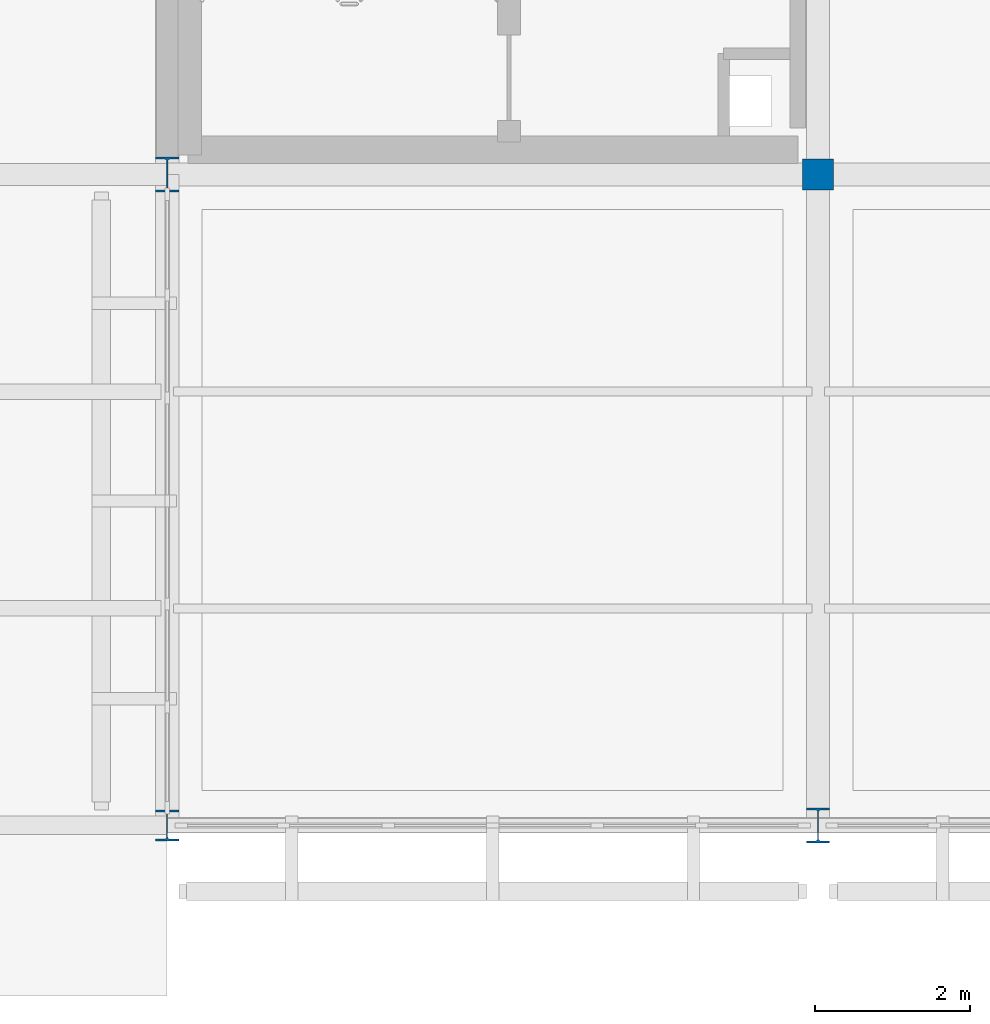
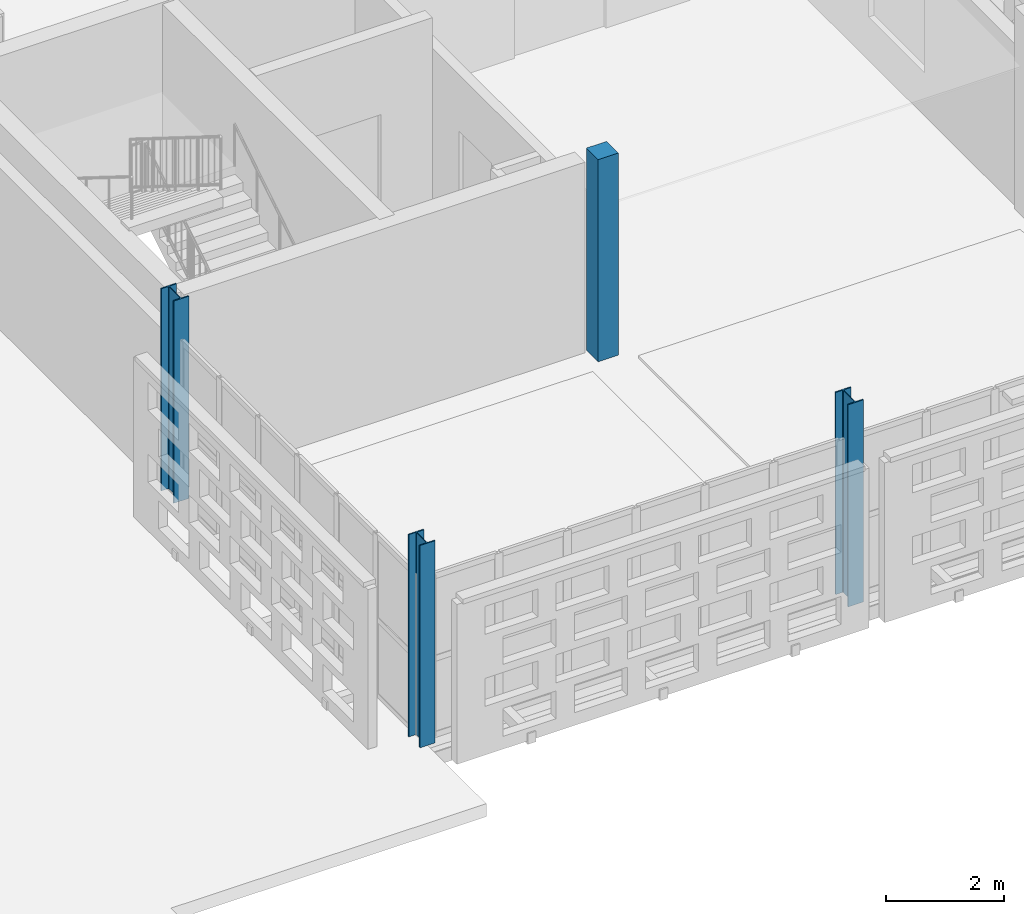
# One storey, part 4 of 166: 4 columns.
"""IFC4 building model written with IfcOpenShell, lengths in metres."""

from ifc_helpers import new_model, si_unit, direction, frame, origin, origin_2d, place, context, subcontext, project, spatial, rectangle, i_section, extrude, material, material_profile, profile_set, type_object, element, save


model = new_model("IFC4")

# Units and contexts
model_context = context("Model", 3, precision=1e-05, world=origin(), true_north=direction((0.0, 1.0)))
body_context = subcontext(model_context, "Body", "Model", "MODEL_VIEW")
ifc_project = project(units=[si_unit("LENGTHUNIT", "METRE"), si_unit("AREAUNIT", "SQUARE_METRE"), si_unit("VOLUMEUNIT", "CUBIC_METRE"), si_unit("PLANEANGLEUNIT", "RADIAN"), si_unit("MASSUNIT", "GRAM", prefix="KILO")], contexts=[model_context])

# Site, building, storey
site_placement = place(None, origin())
site = spatial("IfcSite", under=ifc_project, at=site_placement, CompositionType="ELEMENT")
building_placement = place(site_placement, origin())
building = spatial("IfcBuilding", under=site, at=building_placement, Name="Varnapada Polytechnic", CompositionType="ELEMENT")
storey_placement = place(building_placement, frame((0.0, 0.0, 9.60009765625)))
storey = spatial("IfcBuildingStorey", under=building, at=storey_placement, Name="L02", CompositionType="ELEMENT", Elevation=9.60009765625)

# Columns
ifc_material_1 = material(Name="Steel S355", Category="steel")
ifc_material_profile_1 = material_profile(ifc_material_1, i_section(OverallWidth=0.300048828125, OverallDepth=0.449951171875, WebThickness=0.013916015625, FlangeThickness=0.02587890625, FilletRadius=0.027099609375, at=origin_2d()), Name="HEB 450")
ifc_profile_set_1 = profile_set([ifc_material_profile_1], Name="Steel S355")
column_type_1 = type_object("IfcColumnType", Name="Column C-07 (HEB 450)", PredefinedType="COLUMN", material=ifc_profile_set_1)
for number, where, z_axis, x_axis, name in (
    (1, (50.39990234375, 92.39990234375, 0.0), (0.0, 0.0, 1.0), (1.0, 0.0, 0.0), "L02 column 7/12"),
    (2, (58.800048828125, 84.0, 0.0), (0.0, 0.0, 1.0), (1.0, 0.0, 0.0), "L02 column 8/11"),
):
    element("IfcColumn", number, at=place(storey_placement, frame(where, z_axis=z_axis, x_axis=x_axis)), inside=storey, type_object=column_type_1, Name=name, PredefinedType="COLUMN", context=body_context, shape_type="SweptSolid", body=[
        extrude(i_section(OverallWidth=0.300048828125, OverallDepth=0.449951171875, WebThickness=0.013916015625, FlangeThickness=0.02587890625, FilletRadius=0.027099609375, at=origin_2d()), origin(), (0.0, 0.0, 1.0), 4.199951171875),
    ])
ifc_material_profile_2 = material_profile(ifc_material_1, i_section(OverallWidth=0.300048828125, OverallDepth=0.39990234375, WebThickness=0.013427734375, FlangeThickness=0.02392578125, FilletRadius=0.027099609375, at=origin_2d()), Name="HEB 400")
ifc_profile_set_2 = profile_set([ifc_material_profile_2], Name="Steel S355")
column_type_2 = type_object("IfcColumnType", Name="Column C-08 (HEB 400)", PredefinedType="COLUMN", material=ifc_profile_set_2)
column_1_placement = place(storey_placement, frame((50.39990234375, 84.0, 0.0), z_axis=(0.0, 0.0, 1.0), x_axis=(1.0, 0.0, 0.0)))
element("IfcColumn", 3, at=column_1_placement, inside=storey, type_object=column_type_2, Name="L02 column 7/11", PredefinedType="COLUMN", context=body_context, shape_type="SweptSolid", body=[
    extrude(i_section(OverallWidth=0.300048828125, OverallDepth=0.39990234375, WebThickness=0.013427734375, FlangeThickness=0.02392578125, FilletRadius=0.027099609375, at=origin_2d()), origin(), (0.0, 0.0, 1.0), 4.199951171875),
])
ifc_material_2 = material(Name="Glulam GL32h", Category="wood")
ifc_material_profile_3 = material_profile(ifc_material_2, rectangle(XDim=0.39990234375, YDim=0.39990234375, at=origin_2d()), Name="GL 400x400")
ifc_profile_set_3 = profile_set([ifc_material_profile_3], Name="Glulam GL32h")
column_type_3 = type_object("IfcColumnType", Name="Column C-13 (GL 400x400)", PredefinedType="COLUMN", material=ifc_profile_set_3)
column_2_placement = place(storey_placement, frame((58.800048828125, 92.39990234375, 0.0), z_axis=(0.0, 0.0, 1.0), x_axis=(1.0, 0.0, 0.0)))
element("IfcColumn", 4, at=column_2_placement, inside=storey, type_object=column_type_3, Name="L02 column 8/12", PredefinedType="COLUMN", context=body_context, shape_type="SweptSolid", body=[
    extrude(rectangle(XDim=0.39990234375, YDim=0.39990234375, at=origin_2d()), origin(), (0.0, 0.0, 1.0), 4.199951171875),
])

save(model, "model.ifc")
